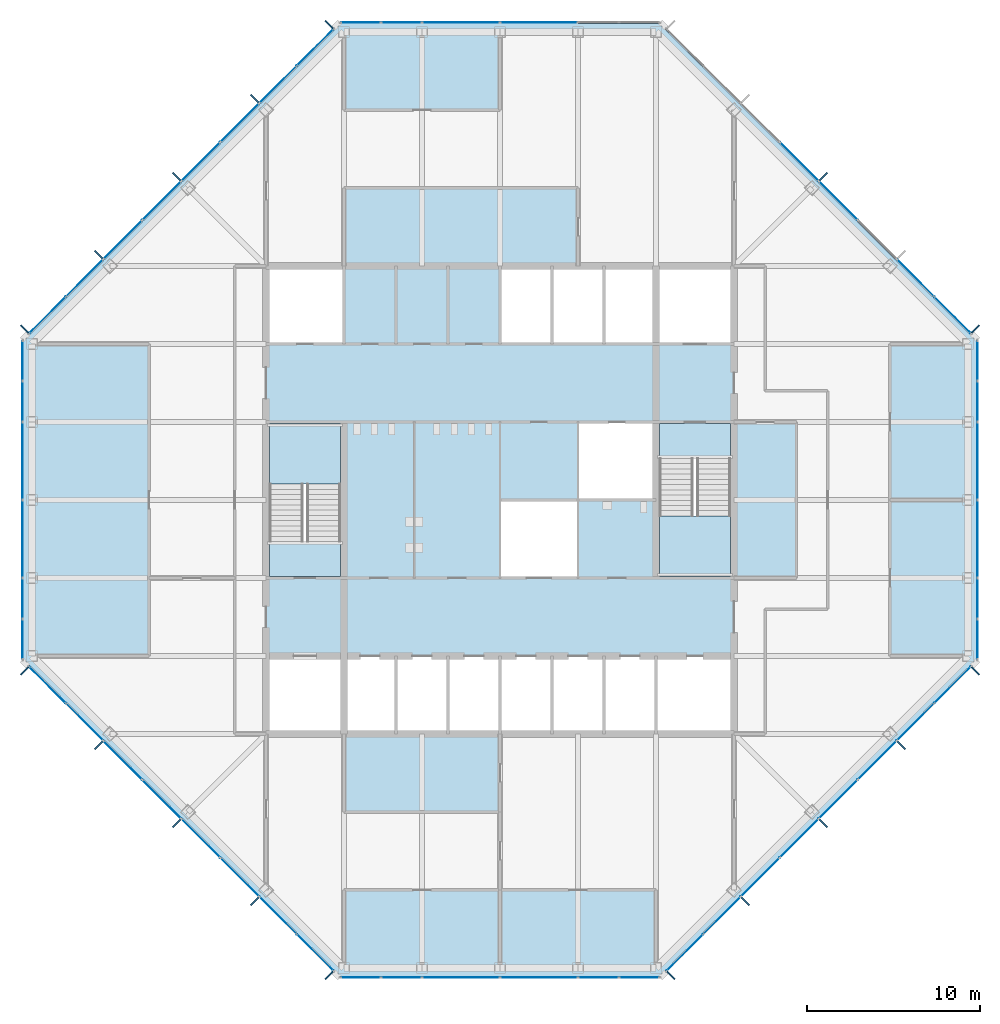
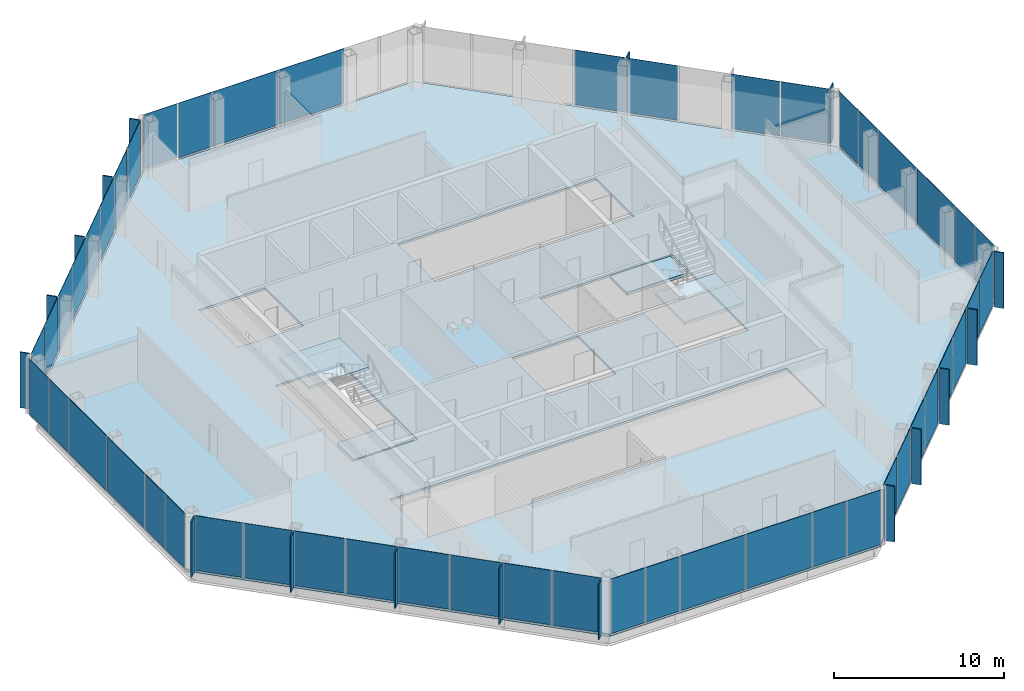
# One storey, part 8 of 13: 67 plates, 5 slabs, 10 elements without a shape of their own.
"""IFC4 building model written with IfcOpenShell, lengths in metres."""

from ifc_helpers import new_model, si_unit, direction, frame, origin, origin_2d, place, context, subcontext, project, spatial, polyline, rectangle, outline, extrude, material, layer, layer_set, type_object, element, aggregate, save


model = new_model("IFC4")

# Units and contexts
model_context = context("Model", 3, precision=1e-05, world=origin(), true_north=direction((0.0, 1.0)))
body_context = subcontext(model_context, "Body", "Model", "MODEL_VIEW")
ifc_project = project(units=[si_unit("LENGTHUNIT", "METRE"), si_unit("AREAUNIT", "SQUARE_METRE"), si_unit("VOLUMEUNIT", "CUBIC_METRE"), si_unit("PLANEANGLEUNIT", "RADIAN"), si_unit("MASSUNIT", "GRAM", prefix="KILO")], contexts=[model_context])

# Site, building, storey
site_placement = place(None, origin())
site = spatial("IfcSite", under=ifc_project, at=site_placement, CompositionType="ELEMENT")
building_placement = place(site_placement, origin())
building = spatial("IfcBuilding", under=site, at=building_placement, Name="Corais Broadcast Tower", CompositionType="ELEMENT")
storey_placement = place(building_placement, frame((0.0, 0.0, 210.60009765625)))
storey = spatial("IfcBuildingStorey", under=building, at=storey_placement, Name="L48", CompositionType="ELEMENT", Elevation=210.60009765625)

# Slab
ifc_material_1 = material(Name="Concrete C30/37", Category="concrete")
ifc_layer_1 = layer(ifc_material_1, 0.159912109375)
ifc_layer_set_1 = layer_set([ifc_layer_1], Name="Concrete C30/37")
slab_type_1 = type_object("IfcSlabType", Name="Composite floor slab 160", PredefinedType="FLOOR", material=ifc_layer_set_1)
slab_1_placement = place(storey_placement, frame((0.0, 0.0, -0.16015625)))
element("IfcSlab", 1, at=slab_1_placement, inside=storey, type_object=slab_type_1, Name="S160 floor slab L48", PredefinedType="FLOOR", context=body_context, shape_type="SweptSolid", body=[
    extrude(outline(polyline([(17.80126953125, -0.47998046875), (-0.47998046875, 17.80126953125), (-0.47998046875, 36.19873046875), (17.80126953125, 54.47998046875), (36.19873046875, 54.47998046875), (54.47998046875, 36.19873046875), (54.47998046875, 17.80126953125), (36.19873046875, -0.47998046875), (17.80126953125, -0.47998046875)]), holes=[polyline([(13.5, 18.0), (40.5, 18.0), (40.5, 13.5), (13.5, 13.5), (13.5, 18.0)]), polyline([(18.0, 22.5), (13.5, 22.5), (13.5, 31.5), (18.0, 31.5), (18.0, 22.5)]), polyline([(18.0, 36.0), (13.5, 36.0), (13.5, 40.5), (18.0, 40.5), (18.0, 36.0)]), polyline([(31.5, 22.5), (27.0, 22.5), (27.0, 27.0), (31.4951171875, 27.0), (31.4951171875, 27.0048828125), (31.5, 27.0048828125), (31.5, 31.5), (40.5, 31.5), (40.5, 22.5), (36.0, 22.5), (36.0, 27.0), (31.5048828125, 27.0), (31.5048828125, 26.9951171875), (31.5, 26.9951171875), (31.5, 22.5)]), polyline([(27.0, 40.5), (40.5, 40.5), (40.5, 36.0), (27.0, 36.0), (27.0, 40.5)])]), origin(), (0.0, 0.0, 1.0), 0.16015625),
])

# Curtain wall, plates
ifc_material_2 = material(Name="Aluminium and glass", Category="aluminium")
curtain_wall_type = type_object("IfcCurtainWallType", Name="Unitised fritted curtain wall CW3", PredefinedType="NOTDEFINED", material=ifc_material_2)
curtain_wall_1_placement = place(storey_placement, origin())
curtain_wall_1 = element("IfcCurtainWall", 2, at=curtain_wall_1_placement, inside=storey, type_object=curtain_wall_type, Name="CW3 curtain wall L48 1", PredefinedType="NOTDEFINED")
ifc_material_3 = material(Name="Ceramic-fritted laminated glass", Category="glass")
ifc_layer_2 = layer(ifc_material_3, 0.02587890625)
ifc_layer_set_2 = layer_set([ifc_layer_2], Name="Ceramic-fritted laminated glass")
plate_type_1 = type_object("IfcPlateType", Name="Fritted glass panel CW3", PredefinedType="CURTAIN_PANEL", material=ifc_layer_set_2)
plate_1_placement = place(storey_placement, frame((16.330322265625, 0.891845703125, 0.06494140625), z_axis=(0.0, 0.0, 1.0), x_axis=(-0.707106781187, 0.707106781187, 0.0)))
plate_1 = element("IfcPlate", 3, at=plate_1_placement, type_object=plate_type_1, Name="CW3 panel 1", PredefinedType="CURTAIN_PANEL", context=body_context, shape_type="SweptSolid", body=[
    extrude(rectangle(XDim=2.9482421875, YDim=0.02587890625, at=origin_2d()), origin(), (0.0, 0.0, 1.0), 3.93505859375),
])
plate_2_placement = place(storey_placement, frame((11.986083984375, 5.236083984375, 0.06494140625), z_axis=(0.0, 0.0, 1.0), x_axis=(-0.707106781187, 0.707106781187, 0.0)))
plate_2 = element("IfcPlate", 4, at=plate_2_placement, type_object=plate_type_1, Name="CW3 panel 3", PredefinedType="CURTAIN_PANEL", context=body_context, shape_type="SweptSolid", body=[
    extrude(rectangle(XDim=3.116943359375, YDim=0.02587890625, at=origin_2d()), origin(), (0.0, 0.0, 1.0), 3.93505859375),
])
plate_3_placement = place(storey_placement, frame((7.486083984375, 9.736083984375, 0.06494140625), z_axis=(0.0, 0.0, 1.0), x_axis=(-0.707106781187, 0.707106781187, 0.0)))
plate_3 = element("IfcPlate", 5, at=plate_3_placement, type_object=plate_type_1, Name="CW3 panel 5", PredefinedType="CURTAIN_PANEL", context=body_context, shape_type="SweptSolid", body=[
    extrude(rectangle(XDim=3.116943359375, YDim=0.02587890625, at=origin_2d()), origin(), (0.0, 0.0, 1.0), 3.93505859375),
])
plate_4_placement = place(storey_placement, frame((3.0341796875, 14.18798828125, 0.06494140625), z_axis=(0.0, 0.0, 1.0), x_axis=(-0.707106781187, 0.707106781187, 0.0)))
plate_4 = element("IfcPlate", 6, at=plate_4_placement, type_object=plate_type_1, Name="CW3 panel 7", PredefinedType="CURTAIN_PANEL", context=body_context, shape_type="SweptSolid", body=[
    extrude(rectangle(XDim=2.98095703125, YDim=0.02587890625, at=origin_2d()), origin(), (0.0, 0.0, 1.0), 3.93505859375),
])

curtain_wall_2_placement = place(storey_placement, origin())
curtain_wall_2 = element("IfcCurtainWall", 7, at=curtain_wall_2_placement, inside=storey, type_object=curtain_wall_type, Name="CW3 curtain wall L48 2", PredefinedType="NOTDEFINED")
plate_5_placement = place(storey_placement, frame((-0.550048828125, 18.970458984375, 0.06494140625), z_axis=(0.0, 0.0, 1.0), x_axis=(0.0, 1.0, 0.0)))
plate_5 = element("IfcPlate", 8, at=plate_5_placement, type_object=plate_type_1, Name="CW3 panel 1", PredefinedType="CURTAIN_PANEL", context=body_context, shape_type="SweptSolid", body=[
    extrude(rectangle(XDim=2.266357421875, YDim=0.02587890625, at=origin_2d()), origin(), (0.0, 0.0, 1.0), 3.93505859375),
])
plate_6_placement = place(storey_placement, frame((-0.550048828125, 24.75, 0.06494140625), z_axis=(0.0, 0.0, 1.0), x_axis=(0.0, 1.0, 0.0)))
plate_6 = element("IfcPlate", 9, at=plate_6_placement, type_object=plate_type_1, Name="CW3 panel 3", PredefinedType="CURTAIN_PANEL", context=body_context, shape_type="SweptSolid", body=[
    extrude(rectangle(XDim=4.43505859375, YDim=0.02587890625, at=origin_2d()), origin(), (0.0, 0.0, 1.0), 3.93505859375),
])
plate_7_placement = place(storey_placement, frame((-0.550048828125, 32.681884765625, 0.06494140625), z_axis=(0.0, 0.0, 1.0), x_axis=(0.0, 1.0, 0.0)))
plate_7 = element("IfcPlate", 10, at=plate_7_placement, type_object=plate_type_1, Name="CW3 panel 5", PredefinedType="CURTAIN_PANEL", context=body_context, shape_type="SweptSolid", body=[
    extrude(rectangle(XDim=2.298828125, YDim=0.02587890625, at=origin_2d()), origin(), (0.0, 0.0, 1.0), 3.93505859375),
])

curtain_wall_3_placement = place(storey_placement, origin())
curtain_wall_3 = element("IfcCurtainWall", 11, at=curtain_wall_3_placement, inside=storey, type_object=curtain_wall_type, Name="CW3 curtain wall L48 3", PredefinedType="NOTDEFINED")
plate_8_placement = place(storey_placement, frame((0.891845703125, 37.669677734375, 0.06494140625), z_axis=(0.0, 0.0, 1.0), x_axis=(0.707106781187, 0.707106781187, 0.0)))
plate_8 = element("IfcPlate", 12, at=plate_8_placement, type_object=plate_type_1, Name="CW3 panel 1", PredefinedType="CURTAIN_PANEL", context=body_context, shape_type="SweptSolid", body=[
    extrude(rectangle(XDim=2.9482421875, YDim=0.02587890625, at=origin_2d()), origin(), (0.0, 0.0, 1.0), 3.93505859375),
])
plate_9_placement = place(storey_placement, frame((5.236083984375, 42.013916015625, 0.06494140625), z_axis=(0.0, 0.0, 1.0), x_axis=(0.707106781187, 0.707106781187, 0.0)))
plate_9 = element("IfcPlate", 13, at=plate_9_placement, type_object=plate_type_1, Name="CW3 panel 3", PredefinedType="CURTAIN_PANEL", context=body_context, shape_type="SweptSolid", body=[
    extrude(rectangle(XDim=3.116943359375, YDim=0.02587890625, at=origin_2d()), origin(), (0.0, 0.0, 1.0), 3.93505859375),
])
plate_10_placement = place(storey_placement, frame((9.736083984375, 46.513916015625, 0.06494140625), z_axis=(0.0, 0.0, 1.0), x_axis=(0.707106781187, 0.707106781187, 0.0)))
plate_10 = element("IfcPlate", 14, at=plate_10_placement, type_object=plate_type_1, Name="CW3 panel 5", PredefinedType="CURTAIN_PANEL", context=body_context, shape_type="SweptSolid", body=[
    extrude(rectangle(XDim=3.116943359375, YDim=0.02587890625, at=origin_2d()), origin(), (0.0, 0.0, 1.0), 3.93505859375),
])
plate_11_placement = place(storey_placement, frame((14.18798828125, 50.9658203125, 0.06494140625), z_axis=(0.0, 0.0, 1.0), x_axis=(0.707106781187, 0.707106781187, 0.0)))
plate_11 = element("IfcPlate", 15, at=plate_11_placement, type_object=plate_type_1, Name="CW3 panel 7", PredefinedType="CURTAIN_PANEL", context=body_context, shape_type="SweptSolid", body=[
    extrude(rectangle(XDim=2.98095703125, YDim=0.02587890625, at=origin_2d()), origin(), (0.0, 0.0, 1.0), 3.93505859375),
])

curtain_wall_4_placement = place(storey_placement, origin())
curtain_wall_4 = element("IfcCurtainWall", 16, at=curtain_wall_4_placement, inside=storey, type_object=curtain_wall_type, Name="CW3 curtain wall L48 4", PredefinedType="NOTDEFINED")
plate_12_placement = place(storey_placement, frame((18.970458984375, 54.550048828125, 0.06494140625), z_axis=(0.0, 0.0, 1.0), x_axis=(1.0, 0.0, 0.0)))
plate_12 = element("IfcPlate", 17, at=plate_12_placement, type_object=plate_type_1, Name="CW3 panel 1", PredefinedType="CURTAIN_PANEL", context=body_context, shape_type="SweptSolid", body=[
    extrude(rectangle(XDim=2.266357421875, YDim=0.02587890625, at=origin_2d()), origin(), (0.0, 0.0, 1.0), 3.93505859375),
])
plate_13_placement = place(storey_placement, frame((24.75, 54.550048828125, 0.06494140625), z_axis=(0.0, 0.0, 1.0), x_axis=(1.0, 0.0, 0.0)))
plate_13 = element("IfcPlate", 18, at=plate_13_placement, type_object=plate_type_1, Name="CW3 panel 3", PredefinedType="CURTAIN_PANEL", context=body_context, shape_type="SweptSolid", body=[
    extrude(rectangle(XDim=4.43505859375, YDim=0.02587890625, at=origin_2d()), origin(), (0.0, 0.0, 1.0), 3.93505859375),
])

curtain_wall_5_placement = place(storey_placement, origin())
curtain_wall_5 = element("IfcCurtainWall", 19, at=curtain_wall_5_placement, inside=storey, type_object=curtain_wall_type, Name="CW3 curtain wall L48 5", PredefinedType="NOTDEFINED")
plate_14_placement = place(storey_placement, frame((46.513916015625, 44.263916015625, 0.06494140625), z_axis=(0.0, 0.0, 1.0), x_axis=(0.707106781187, -0.707106781187, 0.0)))
plate_14 = element("IfcPlate", 20, at=plate_14_placement, type_object=plate_type_1, Name="CW3 panel 5", PredefinedType="CURTAIN_PANEL", context=body_context, shape_type="SweptSolid", body=[
    extrude(rectangle(XDim=3.116943359375, YDim=0.02587890625, at=origin_2d()), origin(), (0.0, 0.0, 1.0), 3.93505859375),
])
plate_15_placement = place(storey_placement, frame((50.9658203125, 39.81201171875, 0.06494140625), z_axis=(0.0, 0.0, 1.0), x_axis=(0.707106781187, -0.707106781187, 0.0)))
plate_15 = element("IfcPlate", 21, at=plate_15_placement, type_object=plate_type_1, Name="CW3 panel 7", PredefinedType="CURTAIN_PANEL", context=body_context, shape_type="SweptSolid", body=[
    extrude(rectangle(XDim=2.98095703125, YDim=0.02587890625, at=origin_2d()), origin(), (0.0, 0.0, 1.0), 3.93505859375),
])

curtain_wall_6_placement = place(storey_placement, origin())
curtain_wall_6 = element("IfcCurtainWall", 22, at=curtain_wall_6_placement, inside=storey, type_object=curtain_wall_type, Name="CW3 curtain wall L48 6", PredefinedType="NOTDEFINED")
plate_16_placement = place(storey_placement, frame((54.550048828125, 35.029541015625, 0.06494140625), z_axis=(0.0, 0.0, 1.0), x_axis=(0.0, -1.0, 0.0)))
plate_16 = element("IfcPlate", 23, at=plate_16_placement, type_object=plate_type_1, Name="CW3 panel 1", PredefinedType="CURTAIN_PANEL", context=body_context, shape_type="SweptSolid", body=[
    extrude(rectangle(XDim=2.266357421875, YDim=0.02587890625, at=origin_2d()), origin(), (0.0, 0.0, 1.0), 3.93505859375),
])
plate_17_placement = place(storey_placement, frame((54.550048828125, 29.25, 0.06494140625), z_axis=(0.0, 0.0, 1.0), x_axis=(0.0, -1.0, 0.0)))
plate_17 = element("IfcPlate", 24, at=plate_17_placement, type_object=plate_type_1, Name="CW3 panel 3", PredefinedType="CURTAIN_PANEL", context=body_context, shape_type="SweptSolid", body=[
    extrude(rectangle(XDim=4.43505859375, YDim=0.02587890625, at=origin_2d()), origin(), (0.0, 0.0, 1.0), 3.93505859375),
])
plate_18_placement = place(storey_placement, frame((54.550048828125, 21.318115234375, 0.06494140625), z_axis=(0.0, 0.0, 1.0), x_axis=(0.0, -1.0, 0.0)))
plate_18 = element("IfcPlate", 25, at=plate_18_placement, type_object=plate_type_1, Name="CW3 panel 5", PredefinedType="CURTAIN_PANEL", context=body_context, shape_type="SweptSolid", body=[
    extrude(rectangle(XDim=2.298828125, YDim=0.02587890625, at=origin_2d()), origin(), (0.0, 0.0, 1.0), 3.93505859375),
])

curtain_wall_7_placement = place(storey_placement, origin())
curtain_wall_7 = element("IfcCurtainWall", 26, at=curtain_wall_7_placement, inside=storey, type_object=curtain_wall_type, Name="CW3 curtain wall L48 7", PredefinedType="NOTDEFINED")
plate_19_placement = place(storey_placement, frame((53.108154296875, 16.330322265625, 0.06494140625), z_axis=(0.0, 0.0, 1.0), x_axis=(-0.707106781187, -0.707106781187, 0.0)))
plate_19 = element("IfcPlate", 27, at=plate_19_placement, type_object=plate_type_1, Name="CW3 panel 1", PredefinedType="CURTAIN_PANEL", context=body_context, shape_type="SweptSolid", body=[
    extrude(rectangle(XDim=2.9482421875, YDim=0.02587890625, at=origin_2d()), origin(), (0.0, 0.0, 1.0), 3.93505859375),
])
plate_20_placement = place(storey_placement, frame((48.763916015625, 11.986083984375, 0.06494140625), z_axis=(0.0, 0.0, 1.0), x_axis=(-0.707106781187, -0.707106781187, 0.0)))
plate_20 = element("IfcPlate", 28, at=plate_20_placement, type_object=plate_type_1, Name="CW3 panel 3", PredefinedType="CURTAIN_PANEL", context=body_context, shape_type="SweptSolid", body=[
    extrude(rectangle(XDim=3.116943359375, YDim=0.02587890625, at=origin_2d()), origin(), (0.0, 0.0, 1.0), 3.93505859375),
])
plate_21_placement = place(storey_placement, frame((44.263916015625, 7.486083984375, 0.06494140625), z_axis=(0.0, 0.0, 1.0), x_axis=(-0.707106781187, -0.707106781187, 0.0)))
plate_21 = element("IfcPlate", 29, at=plate_21_placement, type_object=plate_type_1, Name="CW3 panel 5", PredefinedType="CURTAIN_PANEL", context=body_context, shape_type="SweptSolid", body=[
    extrude(rectangle(XDim=3.116943359375, YDim=0.02587890625, at=origin_2d()), origin(), (0.0, 0.0, 1.0), 3.93505859375),
])
plate_22_placement = place(storey_placement, frame((39.81201171875, 3.0341796875, 0.06494140625), z_axis=(0.0, 0.0, 1.0), x_axis=(-0.707106781187, -0.707106781187, 0.0)))
plate_22 = element("IfcPlate", 30, at=plate_22_placement, type_object=plate_type_1, Name="CW3 panel 7", PredefinedType="CURTAIN_PANEL", context=body_context, shape_type="SweptSolid", body=[
    extrude(rectangle(XDim=2.98095703125, YDim=0.02587890625, at=origin_2d()), origin(), (0.0, 0.0, 1.0), 3.93505859375),
])

curtain_wall_8_placement = place(storey_placement, origin())
curtain_wall_8 = element("IfcCurtainWall", 31, at=curtain_wall_8_placement, inside=storey, type_object=curtain_wall_type, Name="CW3 curtain wall L48 8", PredefinedType="NOTDEFINED")
plate_23_placement = place(storey_placement, frame((35.029541015625, -0.550048828125, 0.06494140625), z_axis=(0.0, 0.0, 1.0), x_axis=(-1.0, 0.0, 0.0)))
plate_23 = element("IfcPlate", 32, at=plate_23_placement, type_object=plate_type_1, Name="CW3 panel 1", PredefinedType="CURTAIN_PANEL", context=body_context, shape_type="SweptSolid", body=[
    extrude(rectangle(XDim=2.266357421875, YDim=0.02587890625, at=origin_2d()), origin(), (0.0, 0.0, 1.0), 3.93505859375),
])
plate_24_placement = place(storey_placement, frame((29.25, -0.550048828125, 0.06494140625), z_axis=(0.0, 0.0, 1.0), x_axis=(-1.0, 0.0, 0.0)))
plate_24 = element("IfcPlate", 33, at=plate_24_placement, type_object=plate_type_1, Name="CW3 panel 3", PredefinedType="CURTAIN_PANEL", context=body_context, shape_type="SweptSolid", body=[
    extrude(rectangle(XDim=4.43505859375, YDim=0.02587890625, at=origin_2d()), origin(), (0.0, 0.0, 1.0), 3.93505859375),
])
plate_25_placement = place(storey_placement, frame((21.318115234375, -0.550048828125, 0.06494140625), z_axis=(0.0, 0.0, 1.0), x_axis=(-1.0, 0.0, 0.0)))
plate_25 = element("IfcPlate", 34, at=plate_25_placement, type_object=plate_type_1, Name="CW3 panel 5", PredefinedType="CURTAIN_PANEL", context=body_context, shape_type="SweptSolid", body=[
    extrude(rectangle(XDim=2.298828125, YDim=0.02587890625, at=origin_2d()), origin(), (0.0, 0.0, 1.0), 3.93505859375),
])

# Plate
ifc_material_4 = material(Name="Clear laminated glass", Category="glass")
ifc_layer_3 = layer(ifc_material_4, 0.030029296875)
ifc_layer_set_3 = layer_set([ifc_layer_3], Name="Clear laminated glass")
plate_type_2 = type_object("IfcPlateType", Name="Operable glass panel CW3", PredefinedType="CURTAIN_PANEL", material=ifc_layer_set_3)
plate_26_placement = place(storey_placement, frame((14.18798828125, 3.0341796875, 0.06494140625), z_axis=(0.0, 0.0, 1.0), x_axis=(-0.707106781187, 0.707106781187, 0.0)))
plate_26 = element("IfcPlate", 35, at=plate_26_placement, type_object=plate_type_2, Name="CW3 operable panel 2", PredefinedType="CURTAIN_PANEL", context=body_context, shape_type="SweptSolid", body=[
    extrude(rectangle(XDim=2.98095703125, YDim=0.030029296875, at=origin_2d()), origin(), (0.0, 0.0, 1.0), 3.93505859375),
])

plate_27_placement = place(storey_placement, frame((9.736083984375, 7.486083984375, 0.06494140625), z_axis=(0.0, 0.0, 1.0), x_axis=(-0.707106781187, 0.707106781187, 0.0)))
plate_27 = element("IfcPlate", 36, at=plate_27_placement, type_object=plate_type_2, Name="CW3 operable panel 4", PredefinedType="CURTAIN_PANEL", context=body_context, shape_type="SweptSolid", body=[
    extrude(rectangle(XDim=3.116943359375, YDim=0.030029296875, at=origin_2d()), origin(), (0.0, 0.0, 1.0), 3.93505859375),
])

plate_28_placement = place(storey_placement, frame((5.236083984375, 11.986083984375, 0.06494140625), z_axis=(0.0, 0.0, 1.0), x_axis=(-0.707106781187, 0.707106781187, 0.0)))
plate_28 = element("IfcPlate", 37, at=plate_28_placement, type_object=plate_type_2, Name="CW3 operable panel 6", PredefinedType="CURTAIN_PANEL", context=body_context, shape_type="SweptSolid", body=[
    extrude(rectangle(XDim=3.116943359375, YDim=0.030029296875, at=origin_2d()), origin(), (0.0, 0.0, 1.0), 3.93505859375),
])

plate_29_placement = place(storey_placement, frame((0.89208984375, 16.330322265625, 0.06494140625), z_axis=(0.0, 0.0, 1.0), x_axis=(-0.707106781187, 0.707106781187, 0.0)))
plate_29 = element("IfcPlate", 38, at=plate_29_placement, type_object=plate_type_2, Name="CW3 operable panel 8", PredefinedType="CURTAIN_PANEL", context=body_context, shape_type="SweptSolid", body=[
    extrude(rectangle(XDim=2.948486328125, YDim=0.030029296875, at=origin_2d()), origin(), (0.0, 0.0, 1.0), 3.93505859375),
])

aggregate(curtain_wall_1, [plate_1, plate_26, plate_2, plate_27, plate_3, plate_28, plate_4, plate_29])

plate_30_placement = place(storey_placement, frame((-0.550048828125, 21.318115234375, 0.06494140625), z_axis=(0.0, 0.0, 1.0), x_axis=(0.0, 1.0, 0.0)))
plate_30 = element("IfcPlate", 39, at=plate_30_placement, type_object=plate_type_2, Name="CW3 operable panel 2", PredefinedType="CURTAIN_PANEL", context=body_context, shape_type="SweptSolid", body=[
    extrude(rectangle(XDim=2.298828125, YDim=0.030029296875, at=origin_2d()), origin(), (0.0, 0.0, 1.0), 3.93505859375),
])

plate_31_placement = place(storey_placement, frame((-0.550048828125, 29.25, 0.06494140625), z_axis=(0.0, 0.0, 1.0), x_axis=(0.0, 1.0, 0.0)))
plate_31 = element("IfcPlate", 40, at=plate_31_placement, type_object=plate_type_2, Name="CW3 operable panel 4", PredefinedType="CURTAIN_PANEL", context=body_context, shape_type="SweptSolid", body=[
    extrude(rectangle(XDim=4.43505859375, YDim=0.030029296875, at=origin_2d()), origin(), (0.0, 0.0, 1.0), 3.93505859375),
])

plate_32_placement = place(storey_placement, frame((-0.550048828125, 35.029541015625, 0.06494140625), z_axis=(0.0, 0.0, 1.0), x_axis=(0.0, 1.0, 0.0)))
plate_32 = element("IfcPlate", 41, at=plate_32_placement, type_object=plate_type_2, Name="CW3 operable panel 6", PredefinedType="CURTAIN_PANEL", context=body_context, shape_type="SweptSolid", body=[
    extrude(rectangle(XDim=2.266357421875, YDim=0.030029296875, at=origin_2d()), origin(), (0.0, 0.0, 1.0), 3.93505859375),
])

aggregate(curtain_wall_2, [plate_5, plate_30, plate_6, plate_31, plate_7, plate_32])

plate_33_placement = place(storey_placement, frame((3.0341796875, 39.81201171875, 0.06494140625), z_axis=(0.0, 0.0, 1.0), x_axis=(0.707106781187, 0.707106781187, 0.0)))
plate_33 = element("IfcPlate", 42, at=plate_33_placement, type_object=plate_type_2, Name="CW3 operable panel 2", PredefinedType="CURTAIN_PANEL", context=body_context, shape_type="SweptSolid", body=[
    extrude(rectangle(XDim=2.98095703125, YDim=0.030029296875, at=origin_2d()), origin(), (0.0, 0.0, 1.0), 3.93505859375),
])

plate_34_placement = place(storey_placement, frame((7.486083984375, 44.263916015625, 0.06494140625), z_axis=(0.0, 0.0, 1.0), x_axis=(0.707106781187, 0.707106781187, 0.0)))
plate_34 = element("IfcPlate", 43, at=plate_34_placement, type_object=plate_type_2, Name="CW3 operable panel 4", PredefinedType="CURTAIN_PANEL", context=body_context, shape_type="SweptSolid", body=[
    extrude(rectangle(XDim=3.116943359375, YDim=0.030029296875, at=origin_2d()), origin(), (0.0, 0.0, 1.0), 3.93505859375),
])

plate_35_placement = place(storey_placement, frame((11.986083984375, 48.763916015625, 0.06494140625), z_axis=(0.0, 0.0, 1.0), x_axis=(0.707106781187, 0.707106781187, 0.0)))
plate_35 = element("IfcPlate", 44, at=plate_35_placement, type_object=plate_type_2, Name="CW3 operable panel 6", PredefinedType="CURTAIN_PANEL", context=body_context, shape_type="SweptSolid", body=[
    extrude(rectangle(XDim=3.116943359375, YDim=0.030029296875, at=origin_2d()), origin(), (0.0, 0.0, 1.0), 3.93505859375),
])

plate_36_placement = place(storey_placement, frame((16.330322265625, 53.10791015625, 0.06494140625), z_axis=(0.0, 0.0, 1.0), x_axis=(0.707106781187, 0.707106781187, 0.0)))
plate_36 = element("IfcPlate", 45, at=plate_36_placement, type_object=plate_type_2, Name="CW3 operable panel 8", PredefinedType="CURTAIN_PANEL", context=body_context, shape_type="SweptSolid", body=[
    extrude(rectangle(XDim=2.948486328125, YDim=0.030029296875, at=origin_2d()), origin(), (0.0, 0.0, 1.0), 3.93505859375),
])

aggregate(curtain_wall_3, [plate_8, plate_33, plate_9, plate_34, plate_10, plate_35, plate_11, plate_36])

plate_37_placement = place(storey_placement, frame((21.318115234375, 54.550048828125, 0.06494140625), z_axis=(0.0, 0.0, 1.0), x_axis=(1.0, 0.0, 0.0)))
plate_37 = element("IfcPlate", 46, at=plate_37_placement, type_object=plate_type_2, Name="CW3 operable panel 2", PredefinedType="CURTAIN_PANEL", context=body_context, shape_type="SweptSolid", body=[
    extrude(rectangle(XDim=2.298828125, YDim=0.030029296875, at=origin_2d()), origin(), (0.0, 0.0, 1.0), 3.93505859375),
])

plate_38_placement = place(storey_placement, frame((29.25, 54.550048828125, 0.06494140625), z_axis=(0.0, 0.0, 1.0), x_axis=(1.0, 0.0, 0.0)))
plate_38 = element("IfcPlate", 47, at=plate_38_placement, type_object=plate_type_2, Name="CW3 operable panel 4", PredefinedType="CURTAIN_PANEL", context=body_context, shape_type="SweptSolid", body=[
    extrude(rectangle(XDim=4.43505859375, YDim=0.030029296875, at=origin_2d()), origin(), (0.0, 0.0, 1.0), 3.93505859375),
])

aggregate(curtain_wall_4, [plate_12, plate_37, plate_13, plate_38])

plate_39_placement = place(storey_placement, frame((44.263916015625, 46.513916015625, 0.06494140625), z_axis=(0.0, 0.0, 1.0), x_axis=(0.707106781187, -0.707106781187, 0.0)))
plate_39 = element("IfcPlate", 48, at=plate_39_placement, type_object=plate_type_2, Name="CW3 operable panel 4", PredefinedType="CURTAIN_PANEL", context=body_context, shape_type="SweptSolid", body=[
    extrude(rectangle(XDim=3.116943359375, YDim=0.030029296875, at=origin_2d()), origin(), (0.0, 0.0, 1.0), 3.93505859375),
])

plate_40_placement = place(storey_placement, frame((53.10791015625, 37.669677734375, 0.06494140625), z_axis=(0.0, 0.0, 1.0), x_axis=(0.707106781187, -0.707106781187, 0.0)))
plate_40 = element("IfcPlate", 49, at=plate_40_placement, type_object=plate_type_2, Name="CW3 operable panel 8", PredefinedType="CURTAIN_PANEL", context=body_context, shape_type="SweptSolid", body=[
    extrude(rectangle(XDim=2.948486328125, YDim=0.030029296875, at=origin_2d()), origin(), (0.0, 0.0, 1.0), 3.93505859375),
])

aggregate(curtain_wall_5, [plate_39, plate_14, plate_15, plate_40])

plate_41_placement = place(storey_placement, frame((54.550048828125, 32.681884765625, 0.06494140625), z_axis=(0.0, 0.0, 1.0), x_axis=(0.0, -1.0, 0.0)))
plate_41 = element("IfcPlate", 50, at=plate_41_placement, type_object=plate_type_2, Name="CW3 operable panel 2", PredefinedType="CURTAIN_PANEL", context=body_context, shape_type="SweptSolid", body=[
    extrude(rectangle(XDim=2.298828125, YDim=0.030029296875, at=origin_2d()), origin(), (0.0, 0.0, 1.0), 3.93505859375),
])

plate_42_placement = place(storey_placement, frame((54.550048828125, 24.75, 0.06494140625), z_axis=(0.0, 0.0, 1.0), x_axis=(0.0, -1.0, 0.0)))
plate_42 = element("IfcPlate", 51, at=plate_42_placement, type_object=plate_type_2, Name="CW3 operable panel 4", PredefinedType="CURTAIN_PANEL", context=body_context, shape_type="SweptSolid", body=[
    extrude(rectangle(XDim=4.43505859375, YDim=0.030029296875, at=origin_2d()), origin(), (0.0, 0.0, 1.0), 3.93505859375),
])

plate_43_placement = place(storey_placement, frame((54.550048828125, 18.970458984375, 0.06494140625), z_axis=(0.0, 0.0, 1.0), x_axis=(0.0, -1.0, 0.0)))
plate_43 = element("IfcPlate", 52, at=plate_43_placement, type_object=plate_type_2, Name="CW3 operable panel 6", PredefinedType="CURTAIN_PANEL", context=body_context, shape_type="SweptSolid", body=[
    extrude(rectangle(XDim=2.266357421875, YDim=0.030029296875, at=origin_2d()), origin(), (0.0, 0.0, 1.0), 3.93505859375),
])

aggregate(curtain_wall_6, [plate_16, plate_41, plate_17, plate_42, plate_18, plate_43])

plate_44_placement = place(storey_placement, frame((50.9658203125, 14.18798828125, 0.06494140625), z_axis=(0.0, 0.0, 1.0), x_axis=(-0.707106781187, -0.707106781187, 0.0)))
plate_44 = element("IfcPlate", 53, at=plate_44_placement, type_object=plate_type_2, Name="CW3 operable panel 2", PredefinedType="CURTAIN_PANEL", context=body_context, shape_type="SweptSolid", body=[
    extrude(rectangle(XDim=2.98095703125, YDim=0.030029296875, at=origin_2d()), origin(), (0.0, 0.0, 1.0), 3.93505859375),
])

plate_45_placement = place(storey_placement, frame((46.513916015625, 9.736083984375, 0.06494140625), z_axis=(0.0, 0.0, 1.0), x_axis=(-0.707106781187, -0.707106781187, 0.0)))
plate_45 = element("IfcPlate", 54, at=plate_45_placement, type_object=plate_type_2, Name="CW3 operable panel 4", PredefinedType="CURTAIN_PANEL", context=body_context, shape_type="SweptSolid", body=[
    extrude(rectangle(XDim=3.116943359375, YDim=0.030029296875, at=origin_2d()), origin(), (0.0, 0.0, 1.0), 3.93505859375),
])

plate_46_placement = place(storey_placement, frame((42.013916015625, 5.236083984375, 0.06494140625), z_axis=(0.0, 0.0, 1.0), x_axis=(-0.707106781187, -0.707106781187, 0.0)))
plate_46 = element("IfcPlate", 55, at=plate_46_placement, type_object=plate_type_2, Name="CW3 operable panel 6", PredefinedType="CURTAIN_PANEL", context=body_context, shape_type="SweptSolid", body=[
    extrude(rectangle(XDim=3.116943359375, YDim=0.030029296875, at=origin_2d()), origin(), (0.0, 0.0, 1.0), 3.93505859375),
])

plate_47_placement = place(storey_placement, frame((37.669677734375, 0.89208984375, 0.06494140625), z_axis=(0.0, 0.0, 1.0), x_axis=(-0.707106781187, -0.707106781187, 0.0)))
plate_47 = element("IfcPlate", 56, at=plate_47_placement, type_object=plate_type_2, Name="CW3 operable panel 8", PredefinedType="CURTAIN_PANEL", context=body_context, shape_type="SweptSolid", body=[
    extrude(rectangle(XDim=2.948486328125, YDim=0.030029296875, at=origin_2d()), origin(), (0.0, 0.0, 1.0), 3.93505859375),
])

aggregate(curtain_wall_7, [plate_19, plate_44, plate_20, plate_45, plate_21, plate_46, plate_22, plate_47])

plate_48_placement = place(storey_placement, frame((32.681884765625, -0.550048828125, 0.06494140625), z_axis=(0.0, 0.0, 1.0), x_axis=(-1.0, 0.0, 0.0)))
plate_48 = element("IfcPlate", 57, at=plate_48_placement, type_object=plate_type_2, Name="CW3 operable panel 2", PredefinedType="CURTAIN_PANEL", context=body_context, shape_type="SweptSolid", body=[
    extrude(rectangle(XDim=2.298828125, YDim=0.030029296875, at=origin_2d()), origin(), (0.0, 0.0, 1.0), 3.93505859375),
])

plate_49_placement = place(storey_placement, frame((24.75, -0.550048828125, 0.06494140625), z_axis=(0.0, 0.0, 1.0), x_axis=(-1.0, 0.0, 0.0)))
plate_49 = element("IfcPlate", 58, at=plate_49_placement, type_object=plate_type_2, Name="CW3 operable panel 4", PredefinedType="CURTAIN_PANEL", context=body_context, shape_type="SweptSolid", body=[
    extrude(rectangle(XDim=4.43505859375, YDim=0.030029296875, at=origin_2d()), origin(), (0.0, 0.0, 1.0), 3.93505859375),
])

plate_50_placement = place(storey_placement, frame((18.970458984375, -0.550048828125, 0.06494140625), z_axis=(0.0, 0.0, 1.0), x_axis=(-1.0, 0.0, 0.0)))
plate_50 = element("IfcPlate", 59, at=plate_50_placement, type_object=plate_type_2, Name="CW3 operable panel 6", PredefinedType="CURTAIN_PANEL", context=body_context, shape_type="SweptSolid", body=[
    extrude(rectangle(XDim=2.266357421875, YDim=0.030029296875, at=origin_2d()), origin(), (0.0, 0.0, 1.0), 3.93505859375),
])

aggregate(curtain_wall_8, [plate_23, plate_48, plate_24, plate_49, plate_25, plate_50])

# Stair, slabs
ifc_material_5 = material(Name="Concrete C30/37", Category="concrete")
stair_type = type_object("IfcStairType", Name="Half-turn stair 4000", PredefinedType="HALF_TURN_STAIR", material=ifc_material_5)
stair_1_placement = place(storey_placement, origin())
stair_1 = element("IfcStair", 60, at=stair_1_placement, inside=storey, type_object=stair_type, Name="Stair A L48", PredefinedType="HALF_TURN_STAIR")
ifc_material_6 = material(Name="Concrete C30/37", Category="concrete")
ifc_layer_4 = layer(ifc_material_6, 0.199951171875)
ifc_layer_set_4 = layer_set([ifc_layer_4], Name="Concrete C30/37")
slab_type_2 = type_object("IfcSlabType", Name="Stair landing 200", PredefinedType="LANDING", material=ifc_layer_set_4)
slab_2_placement = place(storey_placement, frame((0.0, 0.0, -0.2001953125)))
slab_2 = element("IfcSlab", 61, at=slab_2_placement, type_object=slab_type_2, Name="STA landing 1", PredefinedType="LANDING", context=body_context, shape_type="SweptSolid", body=[
    extrude(outline(polyline([(13.699951171875, 22.60009765625), (17.800048828125, 22.60009765625), (17.800048828125, 24.60009765625), (13.699951171875, 24.60009765625), (13.699951171875, 22.60009765625)])), origin(), (0.0, 0.0, 1.0), 0.2001953125),
])
slab_3_placement = place(storey_placement, frame((0.0, 0.0, 1.7998046875)))
slab_3 = element("IfcSlab", 62, at=slab_3_placement, type_object=slab_type_2, Name="STA landing 2", PredefinedType="LANDING", context=body_context, shape_type="SweptSolid", body=[
    extrude(outline(polyline([(13.699951171875, 27.922119140625), (17.800048828125, 27.922119140625), (17.800048828125, 31.39990234375), (13.699951171875, 31.39990234375), (13.699951171875, 27.922119140625)])), origin(), (0.0, 0.0, 1.0), 0.2001953125),
])
aggregate(stair_1, [slab_2, slab_3])

stair_2_placement = place(storey_placement, origin())
stair_2 = element("IfcStair", 63, at=stair_2_placement, inside=storey, type_object=stair_type, Name="Stair B L48", PredefinedType="HALF_TURN_STAIR")
slab_4_placement = place(storey_placement, frame((0.0, 0.0, -0.2001953125)))
slab_4 = element("IfcSlab", 64, at=slab_4_placement, type_object=slab_type_2, Name="STB landing 1", PredefinedType="LANDING", context=body_context, shape_type="SweptSolid", body=[
    extrude(outline(polyline([(36.199951171875, 29.39990234375), (40.300048828125, 29.39990234375), (40.300048828125, 31.39990234375), (36.199951171875, 31.39990234375), (36.199951171875, 29.39990234375)])), origin(), (0.0, 0.0, 1.0), 0.2001953125),
])
slab_5_placement = place(storey_placement, frame((0.0, 0.0, 1.7998046875)))
slab_5 = element("IfcSlab", 65, at=slab_5_placement, type_object=slab_type_2, Name="STB landing 2", PredefinedType="LANDING", context=body_context, shape_type="SweptSolid", body=[
    extrude(outline(polyline([(36.199951171875, 22.60009765625), (40.300048828125, 22.60009765625), (40.300048828125, 26.077880859375), (36.199951171875, 26.077880859375), (36.199951171875, 22.60009765625)])), origin(), (0.0, 0.0, 1.0), 0.2001953125),
])
aggregate(stair_2, [slab_4, slab_5])

# Plates
ifc_material_7 = material(Name="Granite stone cladding", Category="masonry")
ifc_layer_5 = layer(ifc_material_7, 0.080078125)
ifc_layer_set_5 = layer_set([ifc_layer_5], Name="Granite stone cladding")
plate_type_3 = type_object("IfcPlateType", Name="Stone screen fin 80x600", PredefinedType="USERDEFINED", material=ifc_layer_set_5)
for number, where, z_axis, x_axis, name in (
    (66, (17.129150390625, -0.43994140625, 0.0), (0.0, 0.0, 1.0), (-0.707106781187, 0.707106781187, 0.0), "SF1 stone screen fin L48"),
    (67, (12.844482421875, 3.844482421875, 0.0), (0.0, 0.0, 1.0), (-0.707106781187, 0.707106781187, 0.0), "SF1 stone screen fin L48"),
    (68, (8.344482421875, 8.344482421875, 0.0), (0.0, 0.0, 1.0), (-0.707106781187, 0.707106781187, 0.0), "SF1 stone screen fin L48"),
    (69, (3.844482421875, 12.844482421875, 0.0), (0.0, 0.0, 1.0), (-0.707106781187, 0.707106781187, 0.0), "SF1 stone screen fin L48"),
    (70, (-0.43994140625, 17.129150390625, 0.0), (0.0, 0.0, 1.0), (-0.707106781187, 0.707106781187, 0.0), "SF1 stone screen fin L48"),
    (71, (-0.43994140625, 36.870849609375, 0.0), (0.0, 0.0, 1.0), (0.707106781187, 0.707106781187, 0.0), "SF1 stone screen fin L48"),
    (72, (3.844482421875, 41.155517578125, 0.0), (0.0, 0.0, 1.0), (0.707106781187, 0.707106781187, 0.0), "SF1 stone screen fin L48"),
    (73, (8.344482421875, 45.655517578125, 0.0), (0.0, 0.0, 1.0), (0.707106781187, 0.707106781187, 0.0), "SF1 stone screen fin L48"),
    (74, (12.844482421875, 50.155517578125, 0.0), (0.0, 0.0, 1.0), (0.707106781187, 0.707106781187, 0.0), "SF1 stone screen fin L48"),
    (75, (17.129150390625, 54.43994140625, 0.0), (0.0, 0.0, 1.0), (0.707106781187, 0.707106781187, 0.0), "SF1 stone screen fin L48"),
    (76, (45.655517578125, 45.655517578125, 0.0), (0.0, 0.0, 1.0), (0.707106781187, -0.707106781187, 0.0), "SF1 stone screen fin L48"),
    (77, (54.43994140625, 36.870849609375, 0.0), (0.0, 0.0, 1.0), (0.707106781187, -0.707106781187, 0.0), "SF1 stone screen fin L48"),
    (78, (54.43994140625, 17.129150390625, 0.0), (0.0, 0.0, 1.0), (-0.707106781187, -0.707106781187, 0.0), "SF1 stone screen fin L48"),
    (79, (50.155517578125, 12.844482421875, 0.0), (0.0, 0.0, 1.0), (-0.707106781187, -0.707106781187, 0.0), "SF1 stone screen fin L48"),
    (80, (45.655517578125, 8.344482421875, 0.0), (0.0, 0.0, 1.0), (-0.707106781187, -0.707106781187, 0.0), "SF1 stone screen fin L48"),
    (81, (41.155517578125, 3.844482421875, 0.0), (0.0, 0.0, 1.0), (-0.707106781187, -0.707106781187, 0.0), "SF1 stone screen fin L48"),
    (82, (36.870849609375, -0.43994140625, 0.0), (0.0, 0.0, 1.0), (-0.707106781187, -0.707106781187, 0.0), "SF1 stone screen fin L48"),
):
    element("IfcPlate", number, at=place(storey_placement, frame(where, z_axis=z_axis, x_axis=x_axis)), inside=storey, type_object=plate_type_3, Name=name, ObjectType="STONE SCREEN FIN", PredefinedType="USERDEFINED", context=body_context, shape_type="SweptSolid", body=[
        extrude(rectangle(XDim=0.080078125, YDim=0.60009765625, at=origin_2d()), origin(), (0.0, 0.0, 1.0), 4.0),
    ])

save(model, "model.ifc")
